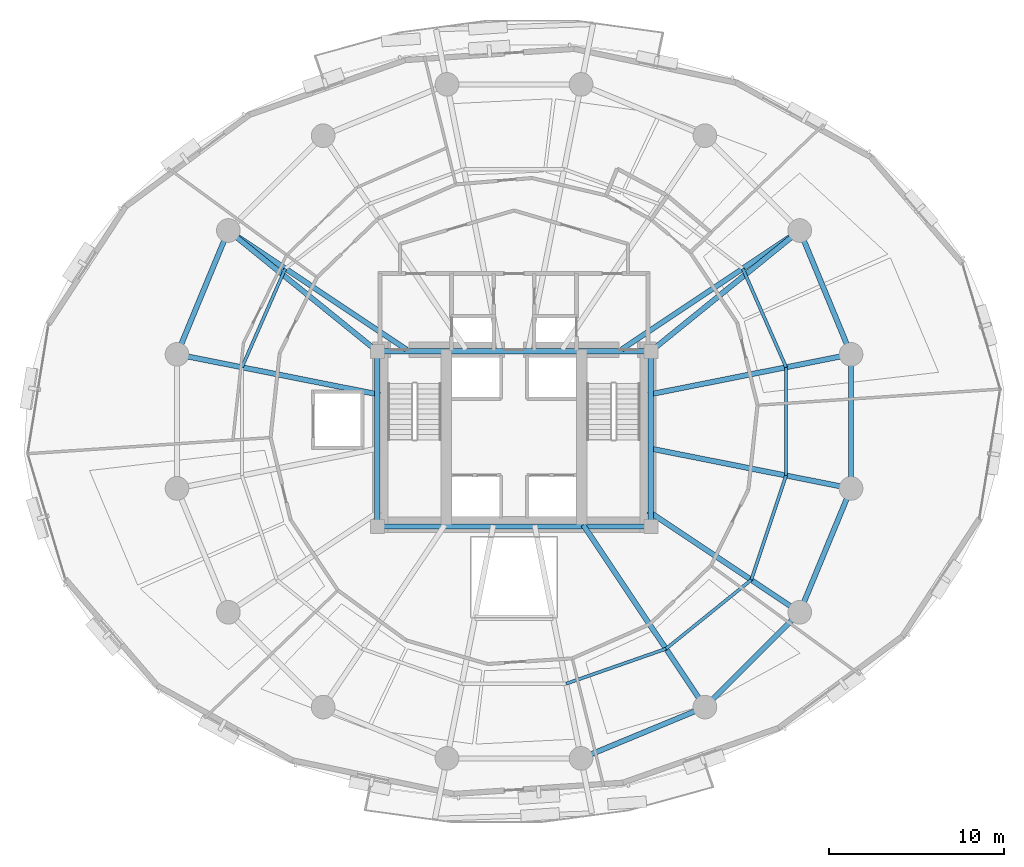
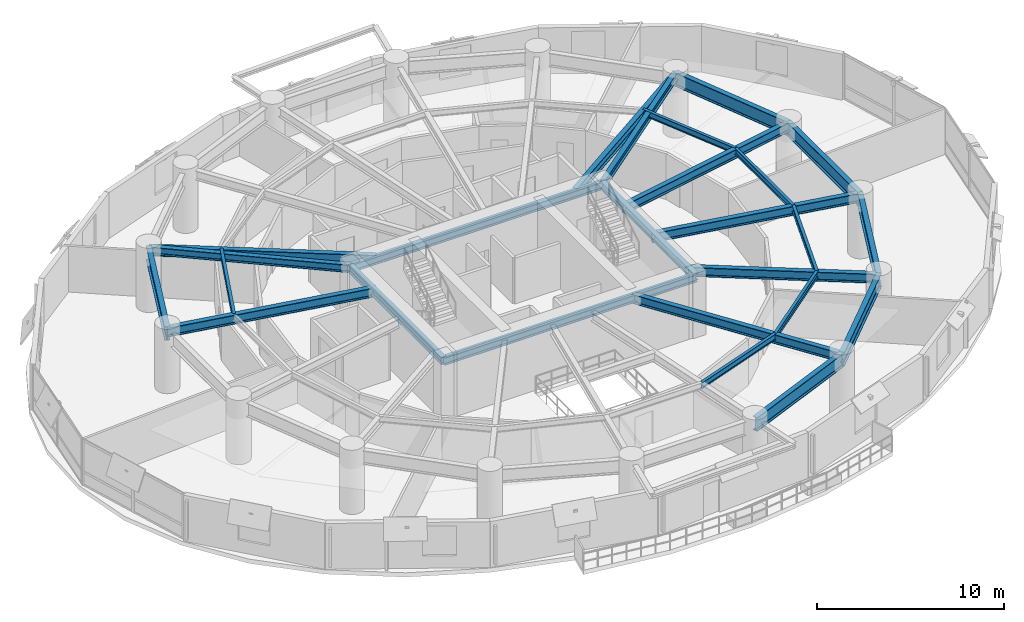
# One storey, part 7 of 16: 25 beams.
"""IFC4 building model written with IfcOpenShell, lengths in metres."""

from ifc_helpers import new_model, si_unit, direction, frame, origin, origin_2d, place, context, subcontext, project, spatial, i_section, extrude, material, material_profile, profile_set, type_object, element, save


model = new_model("IFC4")

# Units and contexts
model_context = context("Model", 3, precision=1e-05, world=origin(), true_north=direction((0.0, 1.0)))
body_context = subcontext(model_context, "Body", "Model", "MODEL_VIEW")
ifc_project = project(units=[si_unit("LENGTHUNIT", "METRE"), si_unit("AREAUNIT", "SQUARE_METRE"), si_unit("VOLUMEUNIT", "CUBIC_METRE"), si_unit("PLANEANGLEUNIT", "RADIAN"), si_unit("MASSUNIT", "GRAM", prefix="KILO"), si_unit("THERMODYNAMICTEMPERATUREUNIT", "KELVIN"), si_unit("POWERUNIT", "WATT")], contexts=[model_context])

# Site, building, storey
site_placement = place(None, origin())
site = spatial("IfcSite", under=ifc_project, at=site_placement, CompositionType="ELEMENT")
building_placement = place(site_placement, origin())
building = spatial("IfcBuilding", under=site, at=building_placement, Name="Ocrelia Relay Tower", CompositionType="ELEMENT")
storey_placement = place(building_placement, frame((0.0, 0.0, 46.800048828125)))
storey = spatial("IfcBuildingStorey", under=building, at=storey_placement, Name="L10", CompositionType="ELEMENT", Elevation=46.800048828125)

# Beams
ifc_material = material(Name="Steel S355", Category="steel")
ifc_material_profile_1 = material_profile(ifc_material, i_section(OverallWidth=0.300048828125, OverallDepth=0.5, WebThickness=0.014404296875, FlangeThickness=0.028076171875, FilletRadius=0.027099609375, at=origin_2d()), Name="HEB 500")
ifc_profile_set_1 = profile_set([ifc_material_profile_1], Name="Steel S355")
beam_type_1 = type_object("IfcBeamType", Name="BM-HEB500", PredefinedType="BEAM", material=ifc_profile_set_1)
for number, where, z_axis, x_axis, name in (
    (1, (26.199951171875, 20.0, 3.669921875), (1.0, 0.0, 0.0), (0.0, 1.0, 0.0), "L10 Core Pilaster Tie Beam S"),
    (2, (26.199951171875, 30.0, 3.669921875), (1.0, 0.0, 0.0), (0.0, 1.0, 0.0), "L10 Core Pilaster Tie Beam N"),
):
    element("IfcBeam", number, at=place(storey_placement, frame(where, z_axis=z_axis, x_axis=x_axis)), inside=storey, type_object=beam_type_1, Name=name, PredefinedType="BEAM", context=body_context, shape_type="SweptSolid", body=[
        extrude(i_section(OverallWidth=0.300048828125, OverallDepth=0.5, WebThickness=0.014404296875, FlangeThickness=0.028076171875, FilletRadius=0.027099609375, at=origin_2d()), origin(), (0.0, 0.0, 1.0), 15.60009765625),
    ])
for number, where, z_axis, x_axis, name in (
    (3, (26.199951171875, 20.0, 3.669921875), (0.0, 1.0, 0.0), (-1.0, 0.0, 0.0), "L10 Core Pilaster Tie Beam W"),
    (4, (41.800048828125, 20.0, 3.669921875), (0.0, 1.0, 0.0), (-1.0, 0.0, 0.0), "L10 Core Pilaster Tie Beam E"),
):
    element("IfcBeam", number, at=place(storey_placement, frame(where, z_axis=z_axis, x_axis=x_axis)), inside=storey, type_object=beam_type_1, Name=name, PredefinedType="BEAM", context=body_context, shape_type="SweptSolid", body=[
        extrude(i_section(OverallWidth=0.300048828125, OverallDepth=0.5, WebThickness=0.014404296875, FlangeThickness=0.028076171875, FilletRadius=0.027099609375, at=origin_2d()), origin(), (0.0, 0.0, 1.0), 10.0),
    ])
for number, where, z_axis, x_axis, name in (
    (5, (50.296875, 36.88916015625, 3.669921875), (-0.776762830896, -0.629793223637, 0.0), (0.629793223637, -0.776762830896, 0.0), "L10 Core Pilaster Frame Tie Beam PT02"),
    (6, (17.703125, 36.88916015625, 3.669921875), (0.776762830896, -0.629793223637, 0.0), (0.629793223637, 0.776762830896, 0.0), "L10 Core Pilaster Frame Tie Beam PT07"),
):
    element("IfcBeam", number, at=place(storey_placement, frame(where, z_axis=z_axis, x_axis=x_axis)), inside=storey, type_object=beam_type_1, Name=name, PredefinedType="BEAM", context=body_context, shape_type="SweptSolid", body=[
        extrude(i_section(OverallWidth=0.300048828125, OverallDepth=0.5, WebThickness=0.014404296875, FlangeThickness=0.028076171875, FilletRadius=0.027099609375, at=origin_2d()), origin(), (0.0, 0.0, 1.0), 10.938720703125),
    ])
ifc_material_profile_2 = material_profile(ifc_material, i_section(OverallWidth=0.300048828125, OverallDepth=0.60009765625, WebThickness=0.015380859375, FlangeThickness=0.030029296875, FilletRadius=0.027099609375, at=origin_2d()), Name="HEB 600")
ifc_profile_set_2 = profile_set([ifc_material_profile_2], Name="Steel S355")
beam_type_2 = type_object("IfcBeamType", Name="BM-HEB600", PredefinedType="BEAM", material=ifc_profile_set_2)
beam_1_placement = place(storey_placement, frame((53.223388671875, 29.82373046875, 3.619873046875), z_axis=(-0.980786324446, -0.195085073187, 0.0), x_axis=(0.195085073187, -0.980786324446, 0.0)))
element("IfcBeam", 7, at=beam_1_placement, inside=storey, type_object=beam_type_2, Name="L10 Radial Floor Girder R01", PredefinedType="BEAM", context=body_context, shape_type="SweptSolid", body=[
    extrude(i_section(OverallWidth=0.300048828125, OverallDepth=0.60009765625, WebThickness=0.015380859375, FlangeThickness=0.030029296875, FilletRadius=0.027099609375, at=origin_2d()), origin(), (0.0, 0.0, 1.0), 11.794921875),
])
for number, where, z_axis, x_axis, name in (
    (8, (50.296875, 36.88916015625, 3.619873046875), (-0.831471581268, -0.555567286243, 0.0), (0.555567286243, -0.831471581268, 0.0), "L10 Radial Floor Girder R02"),
    (9, (17.703125, 36.88916015625, 3.619873046875), (0.831471581268, -0.555567286243, 0.0), (0.555567286243, 0.831471581268, 0.0), "L10 Radial Floor Girder R07"),
):
    element("IfcBeam", number, at=place(storey_placement, frame(where, z_axis=z_axis, x_axis=x_axis)), inside=storey, type_object=beam_type_2, Name=name, PredefinedType="BEAM", context=body_context, shape_type="SweptSolid", body=[
        extrude(i_section(OverallWidth=0.300048828125, OverallDepth=0.60009765625, WebThickness=0.015380859375, FlangeThickness=0.030029296875, FilletRadius=0.027099609375, at=origin_2d()), origin(), (0.0, 0.0, 1.0), 12.211181640625),
    ])
beam_2_placement = place(storey_placement, frame((14.776611328125, 29.82373046875, 3.619873046875), z_axis=(0.980786938484, -0.195081986098, 0.0), x_axis=(0.195081986098, 0.980786938484, 0.0)))
element("IfcBeam", 10, at=beam_2_placement, inside=storey, type_object=beam_type_2, Name="L10 Radial Floor Girder R08", PredefinedType="BEAM", context=body_context, shape_type="SweptSolid", body=[
    extrude(i_section(OverallWidth=0.300048828125, OverallDepth=0.60009765625, WebThickness=0.015380859375, FlangeThickness=0.030029296875, FilletRadius=0.027099609375, at=origin_2d()), origin(), (0.0, 0.0, 1.0), 11.80517578125),
])
beam_3_placement = place(storey_placement, frame((44.88916015625, 9.703125, 3.619873046875), z_axis=(-0.555569912646, 0.831469826369, 0.0), x_axis=(-0.831469826369, -0.555569912646, 0.0)))
element("IfcBeam", 11, at=beam_3_placement, inside=storey, type_object=beam_type_2, Name="L10 Radial Floor Girder R14", PredefinedType="BEAM", context=body_context, shape_type="SweptSolid", body=[
    extrude(i_section(OverallWidth=0.300048828125, OverallDepth=0.60009765625, WebThickness=0.015380859375, FlangeThickness=0.030029296875, FilletRadius=0.027099609375, at=origin_2d()), origin(), (0.0, 0.0, 1.0), 12.498046875),
])
beam_4_placement = place(storey_placement, frame((50.296875, 15.11083984375, 3.619873046875), z_axis=(-0.831475246583, 0.555561800631, 0.0), x_axis=(-0.555561800631, -0.831475246583, 0.0)))
element("IfcBeam", 12, at=beam_4_placement, inside=storey, type_object=beam_type_2, Name="L10 Radial Floor Girder R15", PredefinedType="BEAM", context=body_context, shape_type="SweptSolid", body=[
    extrude(i_section(OverallWidth=0.300048828125, OverallDepth=0.60009765625, WebThickness=0.015380859375, FlangeThickness=0.030029296875, FilletRadius=0.027099609375, at=origin_2d()), origin(), (0.0, 0.0, 1.0), 10.393310546875),
])
beam_5_placement = place(storey_placement, frame((53.223388671875, 22.17626953125, 3.619873046875), z_axis=(-0.980786324446, 0.195085073187, 0.0), x_axis=(-0.195085073187, -0.980786324446, 0.0)))
element("IfcBeam", 13, at=beam_5_placement, inside=storey, type_object=beam_type_2, Name="L10 Radial Floor Girder R16", PredefinedType="BEAM", context=body_context, shape_type="SweptSolid", body=[
    extrude(i_section(OverallWidth=0.300048828125, OverallDepth=0.60009765625, WebThickness=0.015380859375, FlangeThickness=0.030029296875, FilletRadius=0.027099609375, at=origin_2d()), origin(), (0.0, 0.0, 1.0), 11.794921875),
])
ifc_material_profile_3 = material_profile(ifc_material, i_section(OverallWidth=0.300048828125, OverallDepth=0.89990234375, WebThickness=0.0185546875, FlangeThickness=0.034912109375, FilletRadius=0.030029296875, at=origin_2d()), Name="HEB 900")
ifc_profile_set_3 = profile_set([ifc_material_profile_3], Name="Steel S355")
beam_type_3 = type_object("IfcBeamType", Name="BM-HEB900", PredefinedType="BEAM", material=ifc_profile_set_3)
for number, where, z_axis, x_axis, name in (
    (14, (53.223388671875, 29.82373046875, 3.469970703125), (-0.382674154222, 0.923883375589, 0.0), (-0.923883375589, -0.382674154222, 0.0), "L10 Perimeter Spandrel Beam S01"),
    (15, (17.703125, 36.88916015625, 3.469970703125), (-0.382674154222, -0.923883375589, 0.0), (0.923883375589, -0.382674154222, 0.0), "L10 Perimeter Spandrel Beam S07"),
    (16, (37.82373046875, 6.776611328125, 3.469970703125), (0.923883375589, 0.382674154222, 0.0), (-0.382674154222, 0.923883375589, 0.0), "L10 Perimeter Spandrel Beam S13"),
):
    element("IfcBeam", number, at=place(storey_placement, frame(where, z_axis=z_axis, x_axis=x_axis)), inside=storey, type_object=beam_type_3, Name=name, PredefinedType="BEAM", context=body_context, shape_type="SweptSolid", body=[
        extrude(i_section(OverallWidth=0.300048828125, OverallDepth=0.89990234375, WebThickness=0.0185546875, FlangeThickness=0.034912109375, FilletRadius=0.030029296875, at=origin_2d()), origin(), (0.0, 0.0, 1.0), 7.6474609375),
    ])
beam_6_placement = place(storey_placement, frame((44.88916015625, 9.703125, 3.469970703125), z_axis=(0.707106781187, 0.707106781187, 0.0), x_axis=(-0.707106781187, 0.707106781187, 0.0)))
element("IfcBeam", 17, at=beam_6_placement, inside=storey, type_object=beam_type_3, Name="L10 Perimeter Spandrel Beam S14", PredefinedType="BEAM", context=body_context, shape_type="SweptSolid", body=[
    extrude(i_section(OverallWidth=0.300048828125, OverallDepth=0.89990234375, WebThickness=0.0185546875, FlangeThickness=0.034912109375, FilletRadius=0.030029296875, at=origin_2d()), origin(), (0.0, 0.0, 1.0), 7.647705078125),
])
for number, where, z_axis, x_axis, name in (
    (18, (50.296875, 15.11083984375, 3.469970703125), (0.382674154222, 0.923883375589, 0.0), (-0.923883375589, 0.382674154222, 0.0), "L10 Perimeter Spandrel Beam S15"),
    (19, (53.223388671875, 22.17626953125, 3.469970703125), (0.0, 1.0, 0.0), (-1.0, 0.0, 0.0), "L10 Perimeter Spandrel Beam S16"),
):
    element("IfcBeam", number, at=place(storey_placement, frame(where, z_axis=z_axis, x_axis=x_axis)), inside=storey, type_object=beam_type_3, Name=name, PredefinedType="BEAM", context=body_context, shape_type="SweptSolid", body=[
        extrude(i_section(OverallWidth=0.300048828125, OverallDepth=0.89990234375, WebThickness=0.0185546875, FlangeThickness=0.034912109375, FilletRadius=0.030029296875, at=origin_2d()), origin(), (0.0, 0.0, 1.0), 7.6474609375),
    ])
ifc_material_profile_4 = material_profile(ifc_material, i_section(OverallWidth=0.179931640625, OverallDepth=0.39990234375, WebThickness=0.008544921875, FlangeThickness=0.013427734375, FilletRadius=0.02099609375, at=origin_2d()), Name="IPE 400")
ifc_profile_set_4 = profile_set([ifc_material_profile_4], Name="Steel S355")
beam_type_4 = type_object("IfcBeamType", Name="BM-IPE400", PredefinedType="JOIST", material=ifc_profile_set_4)
beam_7_placement = place(storey_placement, frame((49.521484375, 29.08740234375, 3.719970703125), z_axis=(-0.402201104053, 0.915551348586, 0.0), x_axis=(-0.915551348586, -0.402201104053, 0.0)))
element("IfcBeam", 20, at=beam_7_placement, inside=storey, type_object=beam_type_4, Name="L10 Secondary Floor Joist J01", PredefinedType="JOIST", context=body_context, shape_type="SweptSolid", body=[
    extrude(i_section(OverallWidth=0.179931640625, OverallDepth=0.39990234375, WebThickness=0.008544921875, FlangeThickness=0.013427734375, FilletRadius=0.02099609375, at=origin_2d()), origin(), (0.0, 0.0, 1.0), 6.150146484375),
])
beam_8_placement = place(storey_placement, frame((20.9521484375, 34.71826171875, 3.719970703125), z_axis=(-0.401739185135, -0.915754130281, 0.0), x_axis=(0.915754130281, -0.401739185135, 0.0)))
element("IfcBeam", 21, at=beam_8_placement, inside=storey, type_object=beam_type_4, Name="L10 Secondary Floor Joist J07", PredefinedType="JOIST", context=body_context, shape_type="SweptSolid", body=[
    extrude(i_section(OverallWidth=0.179931640625, OverallDepth=0.39990234375, WebThickness=0.008544921875, FlangeThickness=0.013427734375, FilletRadius=0.02099609375, at=origin_2d()), origin(), (0.0, 0.0, 1.0), 6.1494140625),
])
beam_9_placement = place(storey_placement, frame((36.97607421875, 11.03857421875, 3.719970703125), z_axis=(0.943957429675, 0.330067221882, 0.0), x_axis=(-0.330067221882, 0.943957429675, 0.0)))
element("IfcBeam", 22, at=beam_9_placement, inside=storey, type_object=beam_type_4, Name="L10 Secondary Floor Joist J13", PredefinedType="JOIST", context=body_context, shape_type="SweptSolid", body=[
    extrude(i_section(OverallWidth=0.179931640625, OverallDepth=0.39990234375, WebThickness=0.008544921875, FlangeThickness=0.013427734375, FilletRadius=0.02099609375, at=origin_2d()), origin(), (0.0, 0.0, 1.0), 6.029052734375),
])
beam_10_placement = place(storey_placement, frame((42.667236328125, 13.028564453125, 3.719970703125), z_axis=(0.777854562422, 0.628444333031, 0.0), x_axis=(-0.628444333031, 0.777854562422, 0.0)))
element("IfcBeam", 23, at=beam_10_placement, inside=storey, type_object=beam_type_4, Name="L10 Secondary Floor Joist J14", PredefinedType="JOIST", context=body_context, shape_type="SweptSolid", body=[
    extrude(i_section(OverallWidth=0.179931640625, OverallDepth=0.39990234375, WebThickness=0.008544921875, FlangeThickness=0.013427734375, FilletRadius=0.02099609375, at=origin_2d()), origin(), (0.0, 0.0, 1.0), 6.25341796875),
])
beam_11_placement = place(storey_placement, frame((47.531494140625, 16.95849609375, 3.719970703125), z_axis=(0.31698600471, 0.948430215049, 0.0), x_axis=(-0.948430215049, 0.31698600471, 0.0)))
element("IfcBeam", 24, at=beam_11_placement, inside=storey, type_object=beam_type_4, Name="L10 Secondary Floor Joist J15", PredefinedType="JOIST", context=body_context, shape_type="SweptSolid", body=[
    extrude(i_section(OverallWidth=0.179931640625, OverallDepth=0.39990234375, WebThickness=0.008544921875, FlangeThickness=0.013427734375, FilletRadius=0.02099609375, at=origin_2d()), origin(), (0.0, 0.0, 1.0), 6.27783203125),
])
beam_12_placement = place(storey_placement, frame((49.521484375, 22.91259765625, 3.719970703125), z_axis=(0.0, 1.0, 0.0), x_axis=(-1.0, 0.0, 0.0)))
element("IfcBeam", 25, at=beam_12_placement, inside=storey, type_object=beam_type_4, Name="L10 Secondary Floor Joist J16", PredefinedType="JOIST", context=body_context, shape_type="SweptSolid", body=[
    extrude(i_section(OverallWidth=0.179931640625, OverallDepth=0.39990234375, WebThickness=0.008544921875, FlangeThickness=0.013427734375, FilletRadius=0.02099609375, at=origin_2d()), origin(), (0.0, 0.0, 1.0), 6.1748046875),
])

save(model, "model.ifc")
